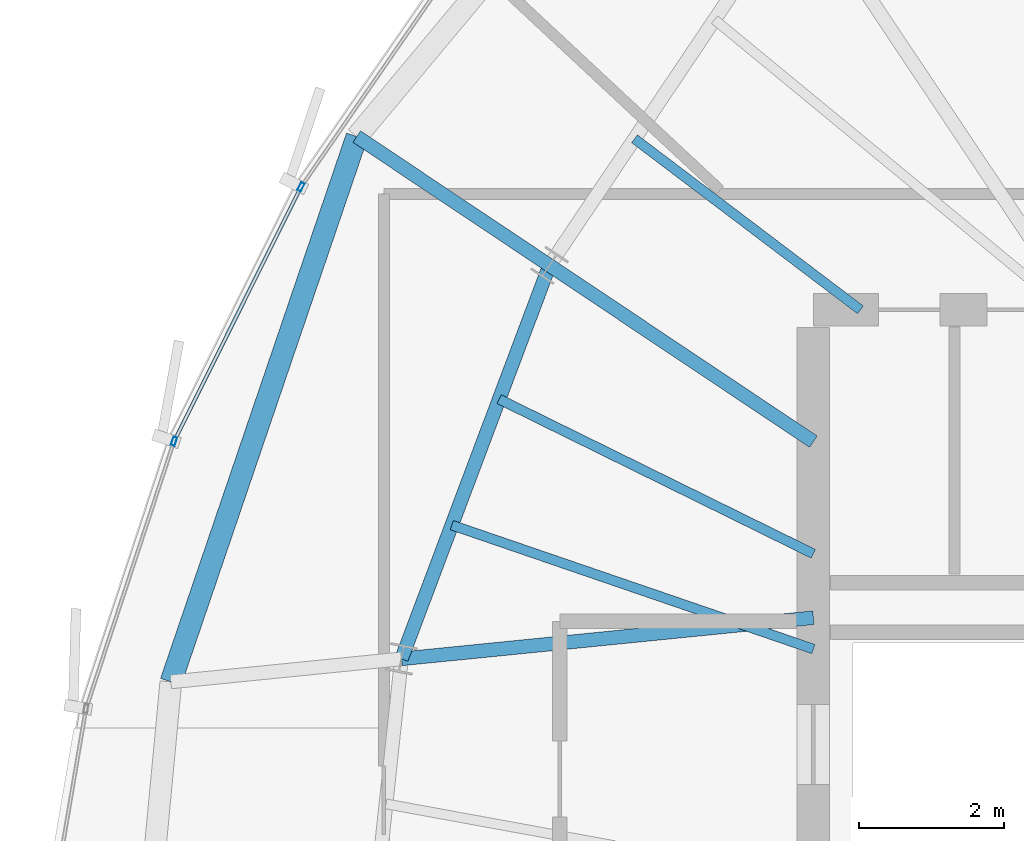
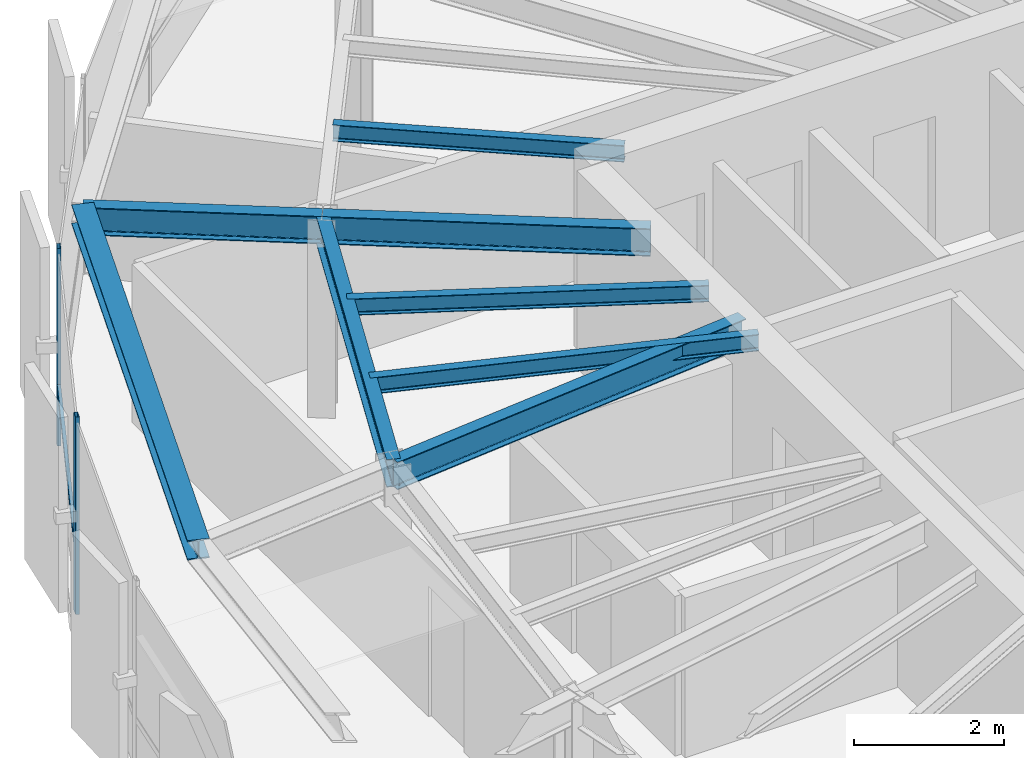
# One storey, part 12 of 32: 8 beams, 3 members, 1 element without a shape of its own.
"""IFC4 building model written with IfcOpenShell, lengths in metres."""

from ifc_helpers import new_model, si_unit, direction, frame, origin, origin_2d, place, context, subcontext, project, spatial, hollow_rectangle, i_section, extrude, source, transform, mapped, material, layer, layer_set, material_profile, profile_set, type_object, element, aggregate, save


model = new_model("IFC4")

# Units and contexts
model_context = context("Model", 3, precision=1e-05, world=origin(), true_north=direction((0.0, 1.0)))
body_context = subcontext(model_context, "Body", "Model", "MODEL_VIEW")
ifc_project = project(units=[si_unit("LENGTHUNIT", "METRE"), si_unit("AREAUNIT", "SQUARE_METRE"), si_unit("VOLUMEUNIT", "CUBIC_METRE"), si_unit("PLANEANGLEUNIT", "RADIAN"), si_unit("MASSUNIT", "GRAM", prefix="KILO"), si_unit("THERMODYNAMICTEMPERATUREUNIT", "KELVIN")], contexts=[model_context])

# Site, building, storey
site_placement = place(None, origin())
site = spatial("IfcSite", under=ifc_project, at=site_placement, CompositionType="ELEMENT")
building_placement = place(site_placement, origin())
building = spatial("IfcBuilding", under=site, at=building_placement, Name="Kethvar Cultural Tower", CompositionType="ELEMENT")
storey_placement = place(building_placement, frame((0.0, 0.0, 273.25)))
storey = spatial("IfcBuildingStorey", under=building, at=storey_placement, Name="L72", CompositionType="ELEMENT", Elevation=273.25)

# Beams
ifc_material_1 = material(Name="Steel S355J2", Category="steel")
ifc_material_profile_1 = material_profile(ifc_material_1, i_section(OverallWidth=0.18994140625, OverallDepth=0.449951171875, WebThickness=0.009521484375, FlangeThickness=0.0146484375, FilletRadius=0.02099609375, at=origin_2d()), Name="Steel S355J2 — IPE450")
ifc_profile_set_1 = profile_set([ifc_material_profile_1], Name="Steel S355J2 — IPE450")
beam_type_1 = type_object("IfcBeamType", Name="BM-IPE450", PredefinedType="BEAM", material=ifc_profile_set_1)
shared_shape_1 = source(origin(), body_context, "Body", "SweptSolid", [
    extrude(i_section(OverallWidth=0.18994140625, OverallDepth=0.449951171875, WebThickness=0.009521484375, FlangeThickness=0.0146484375, FilletRadius=0.02099609375, at=origin_2d()), origin(), (0.0, 0.0, 1.0), 4.3828125),
])
beam_1_placement = place(storey_placement, frame((38.0, 33.679931640625, 2.98291015625), z_axis=(-0.831449909861, 0.555599718676, 0.0), x_axis=(-0.555599718676, -0.831449909861, 0.0)))
element("IfcBeam", 1, at=beam_1_placement, inside=storey, type_object=beam_type_1, Name="L72 Primary Radial Beam RB-07", PredefinedType="BEAM", context=body_context, shape_type="MappedRepresentation", body=[
    mapped(shared_shape_1, transform((0.0, 0.0, 0.0), scale=1.0)),
])
shared_shape_2 = source(origin(), body_context, "Body", "SweptSolid", [
    extrude(i_section(OverallWidth=0.18994140625, OverallDepth=0.449951171875, WebThickness=0.009521484375, FlangeThickness=0.0146484375, FilletRadius=0.02099609375, at=origin_2d()), origin(), (0.0, 0.0, 1.0), 3.19970703125),
])
beam_2_placement = place(storey_placement, frame((34.35595703125, 36.114990234375, 2.98291015625), z_axis=(-0.831498187863, 0.55552746429, 0.0), x_axis=(-0.55552746429, -0.831498187863, 0.0)))
element("IfcBeam", 2, at=beam_2_placement, inside=storey, type_object=beam_type_1, Name="L72 Perimeter Cantilever Beam RC-07", PredefinedType="BEAM", context=body_context, shape_type="MappedRepresentation", body=[
    mapped(shared_shape_2, transform((0.0, 0.0, 0.0), scale=1.0)),
])
shared_shape_3 = source(origin(), body_context, "Body", "SweptSolid", [
    extrude(i_section(OverallWidth=0.18994140625, OverallDepth=0.449951171875, WebThickness=0.009521484375, FlangeThickness=0.0146484375, FilletRadius=0.02099609375, at=origin_2d()), origin(), (0.0, 0.0, 1.0), 5.7158203125),
])
beam_3_placement = place(storey_placement, frame((38.0, 31.25, 2.98291015625), z_axis=(-0.995048179628, -0.099393763478, 0.0), x_axis=(0.099393763478, -0.995048179628, 0.0)))
element("IfcBeam", 3, at=beam_3_placement, inside=storey, type_object=beam_type_1, Name="L72 Primary Radial Beam RB-08", PredefinedType="BEAM", context=body_context, shape_type="MappedRepresentation", body=[
    mapped(shared_shape_3, transform((0.0, 0.0, 0.0), scale=1.0)),
])
ifc_material_profile_2 = material_profile(ifc_material_1, i_section(OverallWidth=0.135009765625, OverallDepth=0.27001953125, WebThickness=0.006591796875, FlangeThickness=0.01025390625, FilletRadius=0.014892578125, at=origin_2d()), Name="Steel S355J2 — IPE270")
ifc_profile_set_2 = profile_set([ifc_material_profile_2], Name="Steel S355J2 — IPE270")
beam_type_2 = type_object("IfcBeamType", Name="BM-J270", PredefinedType="JOIST", material=ifc_profile_set_2)
shared_shape_4 = source(origin(), body_context, "Body", "SweptSolid", [
    extrude(i_section(OverallWidth=0.135009765625, OverallDepth=0.27001953125, WebThickness=0.006591796875, FlangeThickness=0.01025390625, FilletRadius=0.014892578125, at=origin_2d()), origin(), (0.0, 0.0, 1.0), 3.91357421875),
])
beam_4_placement = place(storey_placement, frame((38.64990234375, 35.5, 3.072998046875), z_axis=(-0.797214062325, 0.603696727531, 0.0), x_axis=(-0.603696727531, -0.797214062325, 0.0)))
element("IfcBeam", 4, at=beam_4_placement, inside=storey, type_object=beam_type_2, Name="L72 Composite Floor Joist J-06B", PredefinedType="JOIST", context=body_context, shape_type="MappedRepresentation", body=[
    mapped(shared_shape_4, transform((0.0, 0.0, 0.0), scale=1.0)),
])
shared_shape_5 = source(origin(), body_context, "Body", "SweptSolid", [
    extrude(i_section(OverallWidth=0.18994140625, OverallDepth=0.449951171875, WebThickness=0.009521484375, FlangeThickness=0.0146484375, FilletRadius=0.02099609375, at=origin_2d()), origin(), (0.0, 0.0, 1.0), 5.8046875),
])
beam_5_placement = place(storey_placement, frame((34.35595703125, 36.114990234375, 2.98291015625), z_axis=(-0.352035902861, -0.935986497283, 0.0), x_axis=(0.935986497283, -0.352035902861, 0.0)))
element("IfcBeam", 5, at=beam_5_placement, inside=storey, type_object=beam_type_1, Name="L72 Column Ring Tie Beam CR-07", PredefinedType="BEAM", context=body_context, shape_type="MappedRepresentation", body=[
    mapped(shared_shape_5, transform((0.0, 0.0, 0.0), scale=1.0)),
])
ifc_material_profile_3 = material_profile(ifc_material_1, i_section(OverallWidth=0.300048828125, OverallDepth=0.320068359375, WebThickness=0.011474609375, FlangeThickness=0.0205078125, FilletRadius=0.027099609375, at=origin_2d()), Name="Steel S355J2 — HEB320")
ifc_profile_set_3 = profile_set([ifc_material_profile_3], Name="Steel S355J2 — HEB320")
beam_type_3 = type_object("IfcBeamType", Name="BM-SP320", PredefinedType="SPANDREL", material=ifc_profile_set_3)
shared_shape_6 = source(origin(), body_context, "Body", "SweptSolid", [
    extrude(i_section(OverallWidth=0.300048828125, OverallDepth=0.320068359375, WebThickness=0.011474609375, FlangeThickness=0.0205078125, FilletRadius=0.027099609375, at=origin_2d()), origin(), (0.0, 0.0, 1.0), 7.954345703125),
])
beam_6_placement = place(storey_placement, frame((31.6953125, 37.892578125, 3.048095703125), z_axis=(-0.322730170507, -0.946491012659, 0.0), x_axis=(0.946491012659, -0.322730170507, 0.0)))
element("IfcBeam", 6, at=beam_6_placement, inside=storey, type_object=beam_type_3, Name="L72 Perimeter Spandrel Beam SP-07", PredefinedType="SPANDREL", context=body_context, shape_type="MappedRepresentation", body=[
    mapped(shared_shape_6, transform((0.0, 0.0, 0.0), scale=1.0)),
])
shared_shape_7 = source(origin(), body_context, "Body", "SweptSolid", [
    extrude(i_section(OverallWidth=0.135009765625, OverallDepth=0.27001953125, WebThickness=0.006591796875, FlangeThickness=0.01025390625, FilletRadius=0.014892578125, at=origin_2d()), origin(), (0.0, 0.0, 1.0), 4.8359375),
])
beam_7_placement = place(storey_placement, frame((38.0, 32.1318359375, 3.072998046875), z_axis=(-0.897196527088, 0.441631511308, 0.0), x_axis=(-0.441631511308, -0.897196527088, 0.0)))
element("IfcBeam", 7, at=beam_7_placement, inside=storey, type_object=beam_type_2, Name="L72 Composite Floor Joist J-07A", PredefinedType="JOIST", context=body_context, shape_type="MappedRepresentation", body=[
    mapped(shared_shape_7, transform((0.0, 0.0, 0.0), scale=1.0)),
])
shared_shape_8 = source(origin(), body_context, "Body", "SweptSolid", [
    extrude(i_section(OverallWidth=0.135009765625, OverallDepth=0.27001953125, WebThickness=0.006591796875, FlangeThickness=0.01025390625, FilletRadius=0.014892578125, at=origin_2d()), origin(), (0.0, 0.0, 1.0), 5.2783203125),
])
beam_8_placement = place(storey_placement, frame((38.0, 30.817138671875, 3.072998046875), z_axis=(-0.945942702368, 0.324333784607, 0.0), x_axis=(-0.324333784607, -0.945942702368, 0.0)))
element("IfcBeam", 8, at=beam_8_placement, inside=storey, type_object=beam_type_2, Name="L72 Composite Floor Joist J-07B", PredefinedType="JOIST", context=body_context, shape_type="MappedRepresentation", body=[
    mapped(shared_shape_8, transform((0.0, 0.0, 0.0), scale=1.0)),
])

# Curtain wall, members
ifc_material_2 = material(Name="Aluminium 6063-T6", Category="aluminium")
ifc_layer = layer(ifc_material_2, 0.179931640625, Name="Aluminium 6063-T6", Category="aluminium")
ifc_layer_set = layer_set([ifc_layer], Name="Aluminium 6063-T6 (180 mm)")
curtain_wall_type = type_object("IfcCurtainWallType", Name="CW-SYS-05-Z56", PredefinedType="NOTDEFINED", material=ifc_layer_set)
curtain_wall_placement = place(storey_placement, origin())
curtain_wall = element("IfcCurtainWall", 9, at=curtain_wall_placement, inside=storey, type_object=curtain_wall_type, Name="L72 Curtain Wall Run 02", PredefinedType="NOTDEFINED")
ifc_material_profile_4 = material_profile(ifc_material_2, hollow_rectangle(XDim=0.054931640625, YDim=0.1201171875, WallThickness=0.00390625, at=origin_2d()), Name="Aluminium 6063-T6 — RHS120x55x4")
ifc_profile_set_4 = profile_set([ifc_material_profile_4], Name="Aluminium 6063-T6 — RHS120x55x4")
member_type_1 = type_object("IfcMemberType", Name="CW-SYS-05-Z56-MUL", PredefinedType="MULLION", material=ifc_profile_set_4)
shared_shape_9 = source(origin(), body_context, "Body", "SweptSolid", [
    extrude(hollow_rectangle(XDim=0.054931640625, YDim=0.1201171875, WallThickness=0.00390625, at=origin_2d()), origin(), (0.0, 0.0, 1.0), 3.2099609375),
])
member_1_placement = place(storey_placement, frame((30.92431640625, 37.197265625, 0.0), z_axis=(0.0, 0.0, 1.0), x_axis=(0.894949936299, -0.446166573736, 0.0)))
member_1 = element("IfcMember", 10, at=member_1_placement, type_object=member_type_1, Name="CW-L72-R02 Mullion 4", PredefinedType="MULLION", context=body_context, shape_type="MappedRepresentation", body=[
    mapped(shared_shape_9, transform((0.0, 0.0, 0.0), scale=1.0)),
])
member_2_placement = place(storey_placement, frame((29.17236328125, 33.685302734375, 0.0), z_axis=(0.0, 0.0, 1.0), x_axis=(0.949912070018, -0.312517294296, 0.0)))
member_2 = element("IfcMember", 11, at=member_2_placement, type_object=member_type_1, Name="CW-L72-R02 Mullion 5", PredefinedType="MULLION", context=body_context, shape_type="MappedRepresentation", body=[
    mapped(shared_shape_9, transform((0.0, 0.0, 0.0), scale=1.0)),
])
ifc_material_profile_5 = material_profile(ifc_material_2, hollow_rectangle(XDim=0.050048828125, YDim=0.10009765625, WallThickness=0.00390625, at=origin_2d()), Name="Aluminium 6063-T6 — RHS100x50x4")
ifc_profile_set_5 = profile_set([ifc_material_profile_5], Name="Aluminium 6063-T6 — RHS100x50x4")
member_type_2 = type_object("IfcMemberType", Name="CW-SYS-05-Z56-TRN", PredefinedType="USERDEFINED", material=ifc_profile_set_5)
shared_shape_10 = source(origin(), body_context, "Body", "SweptSolid", [
    extrude(hollow_rectangle(XDim=0.050048828125, YDim=0.10009765625, WallThickness=0.00390625, at=origin_2d()), origin(), (0.0, 0.0, 1.0), 3.859619140625),
])
member_3_placement = place(storey_placement, frame((30.906494140625, 37.16162109375, 0.949951171875), z_axis=(-0.446125308428, -0.894970507436, 0.0), x_axis=(0.894970507436, -0.446125308428, 0.0)))
member_3 = element("IfcMember", 12, at=member_3_placement, type_object=member_type_2, Name="CW-L72-R02 Transom 4", ObjectType="TRANSOM", PredefinedType="USERDEFINED", context=body_context, shape_type="MappedRepresentation", body=[
    mapped(shared_shape_10, transform((0.0, 0.0, 0.0), scale=1.0)),
])
aggregate(curtain_wall, [member_1, member_2, member_3])

save(model, "model.ifc")
